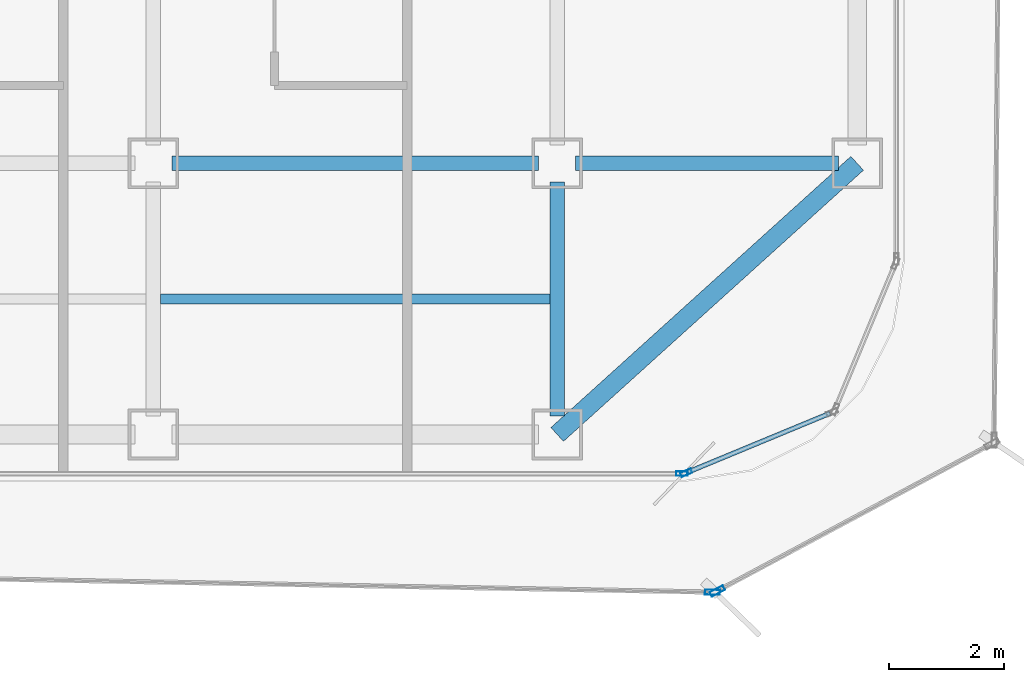
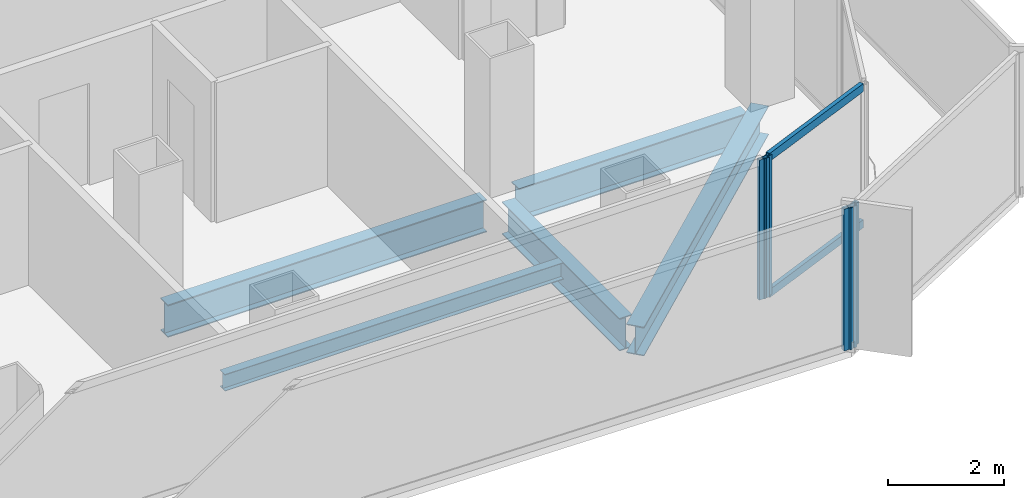
# One storey, part 6 of 21: 6 members, 5 beams, 4 elements without a shape of their own.
"""IFC4 building model written with IfcOpenShell, lengths in metres."""

from ifc_helpers import new_model, si_unit, direction, frame, origin, origin_2d, place, context, subcontext, project, spatial, hollow_rectangle, i_section, extrude, source, transform, mapped, material, layer, layer_set, material_profile, profile_set, type_object, element, aggregate, save


model = new_model("IFC4")

# Units and contexts
model_context = context("Model", 3, precision=1e-05, world=origin(), true_north=direction((0.0, 1.0)))
body_context = subcontext(model_context, "Body", "Model", "MODEL_VIEW")
ifc_project = project(units=[si_unit("LENGTHUNIT", "METRE"), si_unit("AREAUNIT", "SQUARE_METRE"), si_unit("VOLUMEUNIT", "CUBIC_METRE"), si_unit("PLANEANGLEUNIT", "RADIAN"), si_unit("MASSUNIT", "GRAM", prefix="KILO")], contexts=[model_context])

# Site, building, storey
site_placement = place(None, origin())
site = spatial("IfcSite", under=ifc_project, at=site_placement, CompositionType="ELEMENT")
building_placement = place(site_placement, origin())
building = spatial("IfcBuilding", under=site, at=building_placement, Name="Kolveth Station Tower", CompositionType="ELEMENT")
storey_placement = place(building_placement, frame((0.0, 0.0, 111.89990234375)))
storey = spatial("IfcBuildingStorey", under=building, at=storey_placement, Name="L30", CompositionType="ELEMENT", Elevation=111.89990234375)

# Beams
ifc_material_1 = material(Name="Steel S355", Category="steel")
ifc_material_profile_1 = material_profile(ifc_material_1, i_section(OverallWidth=0.323974609375, OverallDepth=0.611083984375, WebThickness=0.0126953125, FlangeThickness=0.01904296875, at=origin_2d()), Name="W610x155")
ifc_profile_set_1 = profile_set([ifc_material_profile_1], Name="Steel S355")
beam_type_1 = type_object("IfcBeamType", Name="Beam_SP2", PredefinedType="SPANDREL", material=ifc_profile_set_1)
shared_shape_1 = source(origin(), body_context, "Body", "SweptSolid", [
    extrude(i_section(OverallWidth=0.323974609375, OverallDepth=0.611083984375, WebThickness=0.0126953125, FlangeThickness=0.01904296875, at=origin_2d()), origin(), (0.0, 0.0, 1.0), 7.00927734375),
])
beam_1_placement = place(storey_placement, frame((41.0, 0.800048828125, -0.555419921875), z_axis=(0.741874009795, 0.670539300557, 0.0), x_axis=(-0.670539300557, 0.741874009795, 0.0)))
element("IfcBeam", 1, at=beam_1_placement, inside=storey, type_object=beam_type_1, Name="L30 Corner Edge Girder BM-L30-CNR-SE", PredefinedType="SPANDREL", context=body_context, shape_type="MappedRepresentation", body=[
    mapped(shared_shape_1, transform((0.0, 0.0, 0.0), x_axis=(1.0, 0.0, 0.0), y_axis=(0.0, 1.0, 0.0), z_axis=(0.0, 0.0, 1.0), scale=1.0)),
])
ifc_material_profile_2 = material_profile(ifc_material_1, i_section(OverallWidth=0.25390625, OverallDepth=0.68798828125, WebThickness=0.01318359375, FlangeThickness=0.02099609375, at=origin_2d()), Name="W690x152")
ifc_profile_set_2 = profile_set([ifc_material_profile_2], Name="Steel S355")
beam_type_2 = type_object("IfcBeamType", Name="Beam_B4", PredefinedType="BEAM", material=ifc_profile_set_2)
shared_shape_2 = source(origin(), body_context, "Body", "SweptSolid", [
    extrude(i_section(OverallWidth=0.25390625, OverallDepth=0.68798828125, WebThickness=0.01318359375, FlangeThickness=0.02099609375, at=origin_2d()), origin(), (0.0, 0.0, 1.0), 4.559814453125),
])
beam_2_placement = place(storey_placement, frame((41.320068359375, 5.5, -0.593994140625), z_axis=(1.0, 0.0, 0.0), x_axis=(0.0, 1.0, 0.0)))
element("IfcBeam", 2, at=beam_2_placement, inside=storey, type_object=beam_type_2, Name="L30 Primary Girder BM-L30-GY55-7", PredefinedType="BEAM", context=body_context, shape_type="MappedRepresentation", body=[
    mapped(shared_shape_2, transform((0.0, 0.0, 0.0), x_axis=(1.0, 0.0, 0.0), y_axis=(0.0, 1.0, 0.0), z_axis=(0.0, 0.0, 1.0), scale=1.0)),
])
shared_shape_3 = source(origin(), body_context, "Body", "SweptSolid", [
    extrude(i_section(OverallWidth=0.25390625, OverallDepth=0.68798828125, WebThickness=0.01318359375, FlangeThickness=0.02099609375, at=origin_2d()), origin(), (0.0, 0.0, 1.0), 6.35986328125),
])
beam_3_placement = place(storey_placement, frame((34.320068359375, 5.5, -0.593994140625), z_axis=(1.0, 0.0, 0.0), x_axis=(0.0, 1.0, 0.0)))
element("IfcBeam", 3, at=beam_3_placement, inside=storey, type_object=beam_type_2, Name="L30 Primary Girder BM-L30-GY55-6", PredefinedType="BEAM", context=body_context, shape_type="MappedRepresentation", body=[
    mapped(shared_shape_3, transform((0.0, 0.0, 0.0), x_axis=(1.0, 0.0, 0.0), y_axis=(0.0, 1.0, 0.0), z_axis=(0.0, 0.0, 1.0), scale=1.0)),
])
shared_shape_4 = source(origin(), body_context, "Body", "SweptSolid", [
    extrude(i_section(OverallWidth=0.25390625, OverallDepth=0.68798828125, WebThickness=0.01318359375, FlangeThickness=0.02099609375, at=origin_2d()), origin(), (0.0, 0.0, 1.0), 4.059814453125),
])
beam_4_placement = place(storey_placement, frame((41.0, 1.1201171875, -0.593994140625), z_axis=(0.0, 1.0, 0.0), x_axis=(-1.0, 0.0, 0.0)))
element("IfcBeam", 4, at=beam_4_placement, inside=storey, type_object=beam_type_2, Name="L30 Primary Girder BM-L30-GX410-1", PredefinedType="BEAM", context=body_context, shape_type="MappedRepresentation", body=[
    mapped(shared_shape_4, transform((0.0, 0.0, 0.0), x_axis=(1.0, 0.0, 0.0), y_axis=(0.0, 1.0, 0.0), z_axis=(0.0, 0.0, 1.0), scale=1.0)),
])
ifc_material_profile_3 = material_profile(ifc_material_1, i_section(OverallWidth=0.1708984375, OverallDepth=0.35205078125, WebThickness=0.0068359375, FlangeThickness=0.009765625, at=origin_2d()), Name="W360x44")
ifc_profile_set_3 = profile_set([ifc_material_profile_3], Name="Steel S355")
beam_type_3 = type_object("IfcBeamType", Name="Beam_J2", PredefinedType="JOIST", material=ifc_profile_set_3)
shared_shape_5 = source(origin(), body_context, "Body", "SweptSolid", [
    extrude(i_section(OverallWidth=0.1708984375, OverallDepth=0.35205078125, WebThickness=0.0068359375, FlangeThickness=0.009765625, at=origin_2d()), origin(), (0.0, 0.0, 1.0), 6.75),
])
beam_5_placement = place(storey_placement, frame((34.125, 3.14990234375, -0.42578125), z_axis=(1.0, 0.0, 0.0), x_axis=(0.0, 1.0, 0.0)))
element("IfcBeam", 5, at=beam_5_placement, inside=storey, type_object=beam_type_3, Name="L30 Secondary Joist JST-L30-6-1", PredefinedType="JOIST", context=body_context, shape_type="MappedRepresentation", body=[
    mapped(shared_shape_5, transform((0.0, 0.0, 0.0), x_axis=(1.0, 0.0, 0.0), y_axis=(0.0, 1.0, 0.0), z_axis=(0.0, 0.0, 1.0), scale=1.0)),
])

# Curtain wall, members
ifc_material_2 = material(Name="Aluminium 6063-T6 and low-E dark glass", Category="aluminium")
ifc_layer_1 = layer(ifc_material_2, 0.18994140625)
ifc_layer_set_1 = layer_set([ifc_layer_1], Name="Aluminium 6063-T6 and low-E dark glass")
curtain_wall_type_1 = type_object("IfcCurtainWallType", Name="CurtainWall_CW-Z2", PredefinedType="NOTDEFINED", material=ifc_layer_set_1)
curtain_wall_1_placement = place(storey_placement, origin())
curtain_wall_1 = element("IfcCurtainWall", 6, at=curtain_wall_1_placement, inside=storey, type_object=curtain_wall_type_1, Name="L30 Inner Thermal Curtain Wall 1", PredefinedType="NOTDEFINED")
ifc_material_3 = material(Name="Black anodized aluminium 6063-T6", Category="aluminium")
ifc_material_profile_4 = material_profile(ifc_material_3, hollow_rectangle(XDim=0.080078125, YDim=0.169921875, WallThickness=0.0048828125, at=origin_2d()), Name="ALU-80x170x5")
ifc_profile_set_4 = profile_set([ifc_material_profile_4], Name="Black anodized aluminium 6063-T6")
member_type_1 = type_object("IfcMemberType", Name="Transom_TR2", PredefinedType="USERDEFINED", material=ifc_profile_set_4)
shared_shape_6 = source(origin(), body_context, "Body", "SweptSolid", [
    extrude(hollow_rectangle(XDim=0.080078125, YDim=0.169921875, WallThickness=0.0048828125, at=origin_2d()), origin(), (0.0, 0.0, 1.0), 2.656494140625),
])
member_1_placement = place(storey_placement, frame((43.27392578125, 0.150634765625, 0.0400390625), z_axis=(0.923882422403, 0.382676455475, 0.0), x_axis=(-0.382676455475, 0.923882422403, 0.0)))
member_1 = element("IfcMember", 7, at=member_1_placement, type_object=member_type_1, Name="CW-Z2 transom 1.1", ObjectType="TRANSOM", PredefinedType="USERDEFINED", context=body_context, shape_type="MappedRepresentation", body=[
    mapped(shared_shape_6, transform((0.0, 0.0, 0.0), x_axis=(1.0, 0.0, 0.0), y_axis=(0.0, 1.0, 0.0), z_axis=(0.0, 0.0, 1.0), scale=1.0)),
])
member_2_placement = place(storey_placement, frame((43.27392578125, 0.150634765625, 2.91015625), z_axis=(0.923882422403, 0.382676455475, 0.0), x_axis=(-0.382676455475, 0.923882422403, 0.0)))
member_2 = element("IfcMember", 8, at=member_2_placement, type_object=member_type_1, Name="CW-Z2 transom 1.2", ObjectType="TRANSOM", PredefinedType="USERDEFINED", context=body_context, shape_type="MappedRepresentation", body=[
    mapped(shared_shape_6, transform((0.0, 0.0, 0.0), x_axis=(1.0, 0.0, 0.0), y_axis=(0.0, 1.0, 0.0), z_axis=(0.0, 0.0, 1.0), scale=1.0)),
])

# Curtain wall, member
ifc_material_4 = material(Name="Black anodized aluminium 6063-T6 and dark solar glass", Category="aluminium")
ifc_layer_2 = layer(ifc_material_4, 0.159912109375)
ifc_layer_set_2 = layer_set([ifc_layer_2], Name="Black anodized aluminium 6063-T6 and dark solar glass")
curtain_wall_type_2 = type_object("IfcCurtainWallType", Name="OUTER SKIN CW-OS", PredefinedType="NOTDEFINED", material=ifc_layer_set_2)
curtain_wall_2_placement = place(storey_placement, origin())
curtain_wall_2 = element("IfcCurtainWall", 9, at=curtain_wall_2_placement, inside=storey, type_object=curtain_wall_type_2, Name="L30 Outer Ventilated Skin Curtain Wall 1", PredefinedType="NOTDEFINED")
ifc_material_profile_5 = material_profile(ifc_material_3, hollow_rectangle(XDim=0.090087890625, YDim=0.260009765625, WallThickness=0.0048828125, at=origin_2d()), Name="ALU-90x260x5")
ifc_profile_set_5 = profile_set([ifc_material_profile_5], Name="Black anodized aluminium 6063-T6")
member_type_2 = type_object("IfcMemberType", Name="FIN MULLION ML-OS", PredefinedType="MULLION", material=ifc_profile_set_5)
shared_shape_7 = source(origin(), body_context, "Body", "SweptSolid", [
    extrude(hollow_rectangle(XDim=0.090087890625, YDim=0.260009765625, WallThickness=0.0048828125, at=origin_2d()), origin(), (0.0, 0.0, 1.0), 2.989990234375),
])
member_3_placement = place(storey_placement, frame((43.77685546875, -1.9150390625, 0.0), z_axis=(0.0, 0.0, 1.0), x_axis=(-0.472446264099, 0.88135947691, 0.0)))
member_3 = element("IfcMember", 10, at=member_3_placement, type_object=member_type_2, Name="CW-OS mullion 1", PredefinedType="MULLION", context=body_context, shape_type="MappedRepresentation", body=[
    mapped(shared_shape_7, transform((0.0, 0.0, 0.0), x_axis=(1.0, 0.0, 0.0), y_axis=(0.0, 1.0, 0.0), z_axis=(0.0, 0.0, 1.0), scale=1.0)),
])
aggregate(curtain_wall_2, [member_3])

curtain_wall_3_placement = place(storey_placement, origin())
curtain_wall_3 = element("IfcCurtainWall", 11, at=curtain_wall_3_placement, inside=storey, type_object=curtain_wall_type_2, Name="L30 Outer Ventilated Skin Curtain Wall 8", PredefinedType="NOTDEFINED")
member_4_placement = place(storey_placement, frame((43.692138671875, -1.935546875, 0.0), z_axis=(0.0, 0.0, 1.0), x_axis=(0.018161477836, 0.99983506676, 0.0)))
member_4 = element("IfcMember", 12, at=member_4_placement, type_object=member_type_2, Name="CW-OS mullion 2", PredefinedType="MULLION", context=body_context, shape_type="MappedRepresentation", body=[
    mapped(shared_shape_7, transform((0.0, 0.0, 0.0), x_axis=(1.0, 0.0, 0.0), y_axis=(0.0, 1.0, 0.0), z_axis=(0.0, 0.0, 1.0), scale=1.0)),
])
aggregate(curtain_wall_3, [member_4])

# Member
ifc_material_profile_6 = material_profile(ifc_material_3, hollow_rectangle(XDim=0.080078125, YDim=0.199951171875, WallThickness=0.0048828125, at=origin_2d()), Name="ALU-80x200x5")
ifc_profile_set_6 = profile_set([ifc_material_profile_6], Name="Black anodized aluminium 6063-T6")
member_type_3 = type_object("IfcMemberType", Name="Mullion_ML2", PredefinedType="MULLION", material=ifc_profile_set_6)
shared_shape_8 = source(origin(), body_context, "Body", "SweptSolid", [
    extrude(hollow_rectangle(XDim=0.080078125, YDim=0.199951171875, WallThickness=0.0048828125, at=origin_2d()), origin(), (0.0, 0.0, 1.0), 2.9501953125),
])
member_5_placement = place(storey_placement, frame((43.237060546875, 0.13525390625, 0.0), z_axis=(0.0, 0.0, 1.0), x_axis=(-0.38266326998, 0.923887883787, 0.0)))
member_5 = element("IfcMember", 13, at=member_5_placement, type_object=member_type_3, Name="CW-Z2 mullion 1", PredefinedType="MULLION", context=body_context, shape_type="MappedRepresentation", body=[
    mapped(shared_shape_8, transform((0.0, 0.0, 0.0), x_axis=(1.0, 0.0, 0.0), y_axis=(0.0, 1.0, 0.0), z_axis=(0.0, 0.0, 1.0), scale=1.0)),
])

aggregate(curtain_wall_1, [member_5, member_1, member_2])

# Curtain wall, member
curtain_wall_4_placement = place(storey_placement, origin())
curtain_wall_4 = element("IfcCurtainWall", 14, at=curtain_wall_4_placement, inside=storey, type_object=curtain_wall_type_1, Name="L30 Inner Thermal Curtain Wall 12", PredefinedType="NOTDEFINED")
member_6_placement = place(storey_placement, frame((43.159912109375, 0.1201171875, 0.0), z_axis=(0.0, 0.0, 1.0), x_axis=(0.0, 1.0, 0.0)))
member_6 = element("IfcMember", 15, at=member_6_placement, type_object=member_type_3, Name="CW-Z2 mullion 3", PredefinedType="MULLION", context=body_context, shape_type="MappedRepresentation", body=[
    mapped(shared_shape_8, transform((0.0, 0.0, 0.0), x_axis=(1.0, 0.0, 0.0), y_axis=(0.0, 1.0, 0.0), z_axis=(0.0, 0.0, 1.0), scale=1.0)),
])
aggregate(curtain_wall_4, [member_6])

save(model, "model.ifc")
